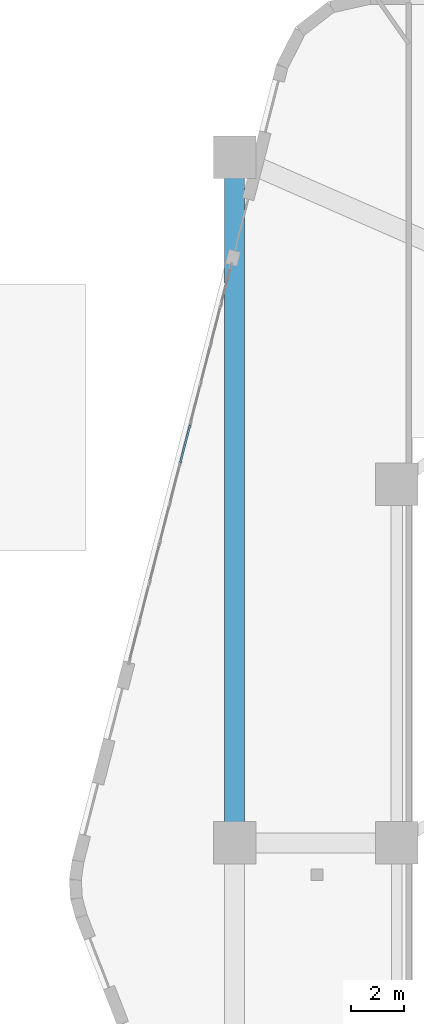
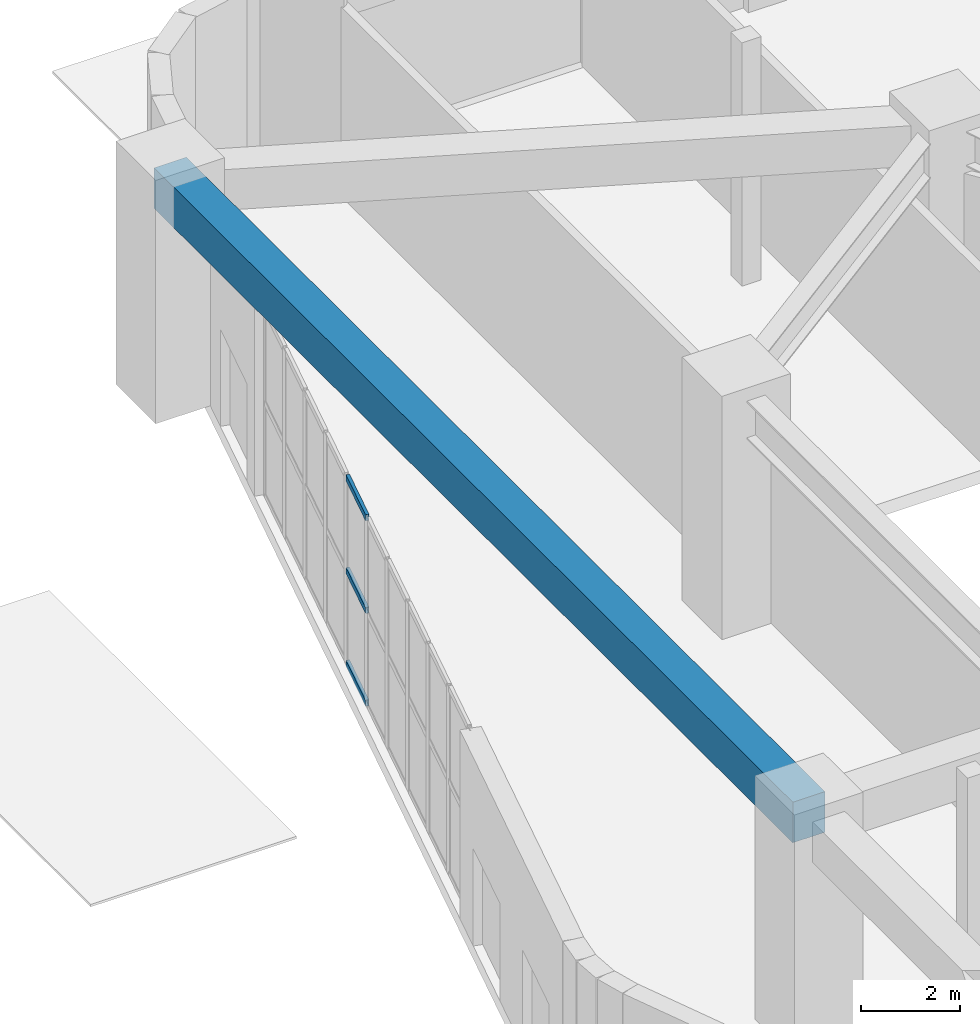
# One storey, part 16 of 35: 3 members, 1 beam, 1 element without a shape of its own.
"""IFC4 building model written with IfcOpenShell, lengths in metres."""

from ifc_helpers import new_model, si_unit, direction, frame, origin, origin_2d, place, context, subcontext, project, spatial, rectangle, hollow_rectangle, extrude, material, layer, layer_set, material_profile, profile_set, type_object, element, aggregate, save


model = new_model("IFC4")

# Units and contexts
model_context = context("Model", 3, precision=1e-05, world=origin(), true_north=direction((0.0, 1.0)))
body_context = subcontext(model_context, "Body", "Model", "MODEL_VIEW")
ifc_project = project(units=[si_unit("LENGTHUNIT", "METRE"), si_unit("AREAUNIT", "SQUARE_METRE"), si_unit("VOLUMEUNIT", "CUBIC_METRE"), si_unit("PLANEANGLEUNIT", "RADIAN"), si_unit("MASSUNIT", "GRAM", prefix="KILO")], contexts=[model_context])

# Site, building, storey
site_placement = place(None, origin())
site = spatial("IfcSite", under=ifc_project, at=site_placement, CompositionType="ELEMENT")
building_placement = place(site_placement, origin())
building = spatial("IfcBuilding", under=site, at=building_placement, Name="Kilnhurst Terrace Hotel", CompositionType="ELEMENT")
storey_placement = place(building_placement, origin())
storey = spatial("IfcBuildingStorey", under=building, at=storey_placement, Name="L00", CompositionType="ELEMENT", Elevation=0.0)

# Curtain wall, members
ifc_material_1 = material(Name="Anodized Aluminium Alloy 6063-T6 and Low-E Glass", Category="aluminium")
ifc_layer = layer(ifc_material_1, 0.219970703125, Name="Anodized Aluminium Alloy 6063-T6 and Low-E Glass")
ifc_layer_set = layer_set([ifc_layer], Name="Anodized Aluminium Alloy 6063-T6 and Low-E Glass")
curtain_wall_type = type_object("IfcCurtainWallType", Name="CW-POD-LOBBY", PredefinedType="NOTDEFINED", material=ifc_layer_set)
curtain_wall_placement = place(storey_placement, origin())
curtain_wall = element("IfcCurtainWall", 1, at=curtain_wall_placement, inside=storey, type_object=curtain_wall_type, Name="L00 Curtain Wall CW-L00-F5-1", PredefinedType="NOTDEFINED")
ifc_material_2 = material(Name="Extruded Aluminium Alloy 6063-T6", Category="aluminium")
ifc_material_profile_1 = material_profile(ifc_material_2, hollow_rectangle(XDim=0.074951171875, YDim=0.14990234375, WallThickness=0.00390625, at=origin_2d()), Name="CWT75X150")
ifc_profile_set_1 = profile_set([ifc_material_profile_1], Name="Extruded Aluminium Alloy 6063-T6")
member_type = type_object("IfcMemberType", Name="MEM-CWT75X150", PredefinedType="USERDEFINED", material=ifc_profile_set_1)
member_1_placement = place(storey_placement, frame((-29.27783203125, 15.723876953125, 0.03759765625), z_axis=(-0.24871132416, -0.968577656791, 0.0), x_axis=(0.968577656791, -0.24871132416, 0.0)))
member_1 = element("IfcMember", 2, at=member_1_placement, type_object=member_type, Name="CWL-1 transom 5.1", ObjectType="TRANSOM", PredefinedType="USERDEFINED", context=body_context, shape_type="SweptSolid", body=[
    extrude(hollow_rectangle(XDim=0.074951171875, YDim=0.14990234375, WallThickness=0.00390625, at=origin_2d()), origin(), (0.0, 0.0, 1.0), 1.468505859375),
])
member_2_placement = place(storey_placement, frame((-29.27783203125, 15.723876953125, 2.324951171875), z_axis=(-0.24871132416, -0.968577656791, 0.0), x_axis=(0.968577656791, -0.24871132416, 0.0)))
member_2 = element("IfcMember", 3, at=member_2_placement, type_object=member_type, Name="CWL-1 transom 5.2", ObjectType="TRANSOM", PredefinedType="USERDEFINED", context=body_context, shape_type="SweptSolid", body=[
    extrude(hollow_rectangle(XDim=0.074951171875, YDim=0.14990234375, WallThickness=0.00390625, at=origin_2d()), origin(), (0.0, 0.0, 1.0), 1.468505859375),
])
member_3_placement = place(storey_placement, frame((-29.27783203125, 15.723876953125, 4.612548828125), z_axis=(-0.24871132416, -0.968577656791, 0.0), x_axis=(0.968577656791, -0.24871132416, 0.0)))
member_3 = element("IfcMember", 4, at=member_3_placement, type_object=member_type, Name="CWL-1 transom 5.3", ObjectType="TRANSOM", PredefinedType="USERDEFINED", context=body_context, shape_type="SweptSolid", body=[
    extrude(hollow_rectangle(XDim=0.074951171875, YDim=0.14990234375, WallThickness=0.00390625, at=origin_2d()), origin(), (0.0, 0.0, 1.0), 1.468505859375),
])
aggregate(curtain_wall, [member_1, member_2, member_3])

# Beam
ifc_material_3 = material(Name="Concrete C50/60", Category="concrete")
ifc_material_profile_2 = material_profile(ifc_material_3, rectangle(XDim=0.75, YDim=1.0, at=origin_2d()), Name="RC750X1000")
ifc_profile_set_2 = profile_set([ifc_material_profile_2], Name="Concrete C50/60")
beam_type = type_object("IfcBeamType", Name="TBM-GAR-750X1000", PredefinedType="T_BEAM", material=ifc_profile_set_2)
beam_placement = place(storey_placement, frame((-27.60009765625, 0.0, 5.179931640625), z_axis=(0.0, 1.0, 0.0), x_axis=(-1.0, 0.0, 0.0)))
element("IfcBeam", 5, at=beam_placement, inside=storey, type_object=beam_type, Name="L00 Outer Ring Tee Beam 2", PredefinedType="T_BEAM", context=body_context, shape_type="SweptSolid", body=[
    extrude(rectangle(XDim=0.75, YDim=1.0, at=origin_2d()), origin(), (0.0, 0.0, 1.0), 25.800048828125),
])

save(model, "model.ifc")
